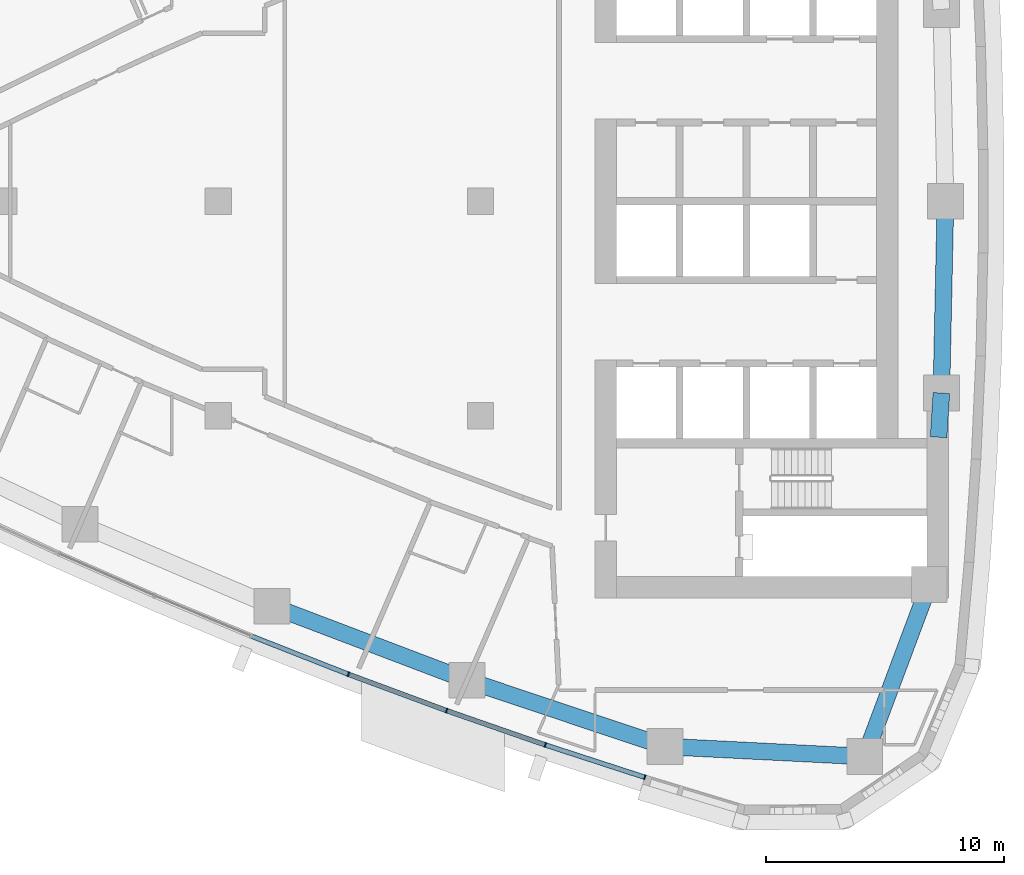
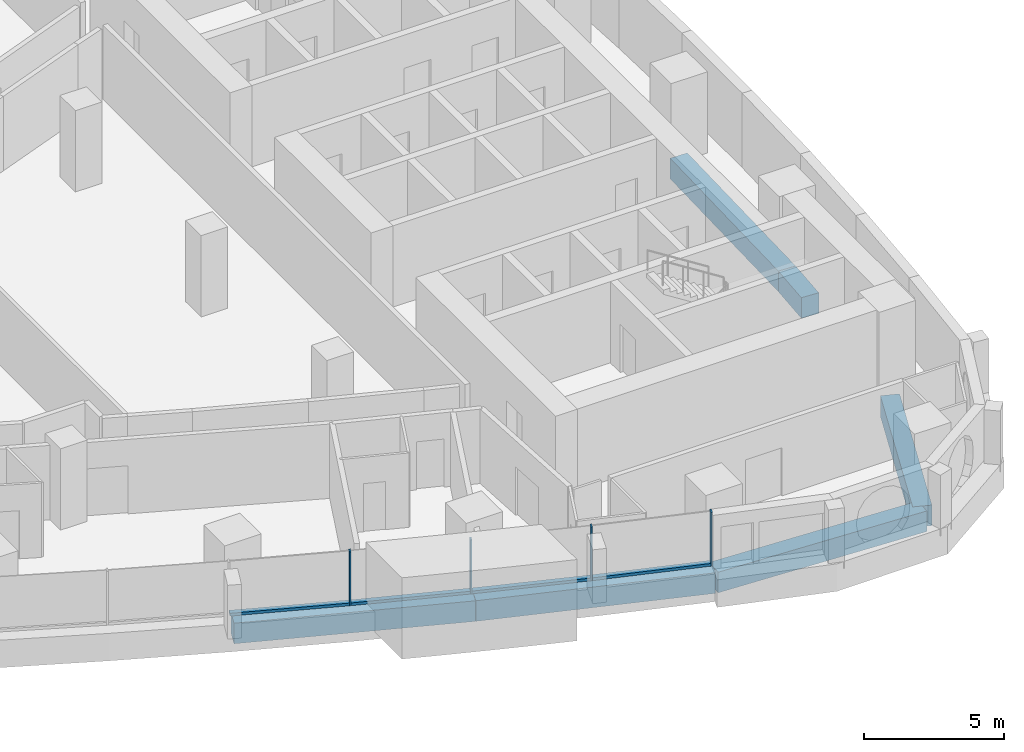
# One storey, part 3 of 17: 8 members, 6 beams, 2 elements without a shape of their own.
"""IFC4 building model written with IfcOpenShell, lengths in metres."""

from ifc_helpers import new_model, si_unit, direction, frame, origin, origin_2d, place, context, subcontext, project, spatial, rectangle, extrude, material, layer, layer_set, material_profile, profile_set, type_object, element, aggregate, save


model = new_model("IFC4")

# Units and contexts
model_context = context("Model", 3, precision=1e-05, world=origin(), true_north=direction((0.0, 1.0)))
body_context = subcontext(model_context, "Body", "Model", "MODEL_VIEW")
ifc_project = project(units=[si_unit("LENGTHUNIT", "METRE"), si_unit("AREAUNIT", "SQUARE_METRE"), si_unit("VOLUMEUNIT", "CUBIC_METRE"), si_unit("PLANEANGLEUNIT", "RADIAN"), si_unit("MASSUNIT", "GRAM", prefix="KILO")], contexts=[model_context])

# Site, building, storey
site_placement = place(None, origin())
site = spatial("IfcSite", under=ifc_project, at=site_placement, CompositionType="ELEMENT")
building_placement = place(site_placement, origin())
building = spatial("IfcBuilding", under=site, at=building_placement, Name="Ostrand Prow Hotel Tower", CompositionType="ELEMENT")
storey_placement = place(building_placement, frame((0.0, 0.0, 130.199951171875)))
storey = spatial("IfcBuildingStorey", under=building, at=storey_placement, Name="L31", CompositionType="ELEMENT", Elevation=130.199951171875)

# Beams
ifc_material_1 = material(Name="Concrete C70/85", Category="concrete")
ifc_material_profile_1 = material_profile(ifc_material_1, rectangle(XDim=0.699951171875, YDim=0.89990234375, at=origin_2d()), Name="RC 700x900")
ifc_profile_set_1 = profile_set([ifc_material_profile_1], Name="Concrete C70/85")
beam_type = type_object("IfcBeamType", Name="Edge beam 700x900 C70/85", PredefinedType="SPANDREL", material=ifc_profile_set_1)
for number, where, z_axis, x_axis, name in (
    (1, (36.255615234375, -16.98388671875, -0.75), (0.93479358236, -0.355191439055, 0.0), (0.355191439055, 0.93479358236, 0.0), "Edge beam S4-S5"),
    (2, (44.438232421875, -20.093017578125, -0.75), (0.948376051094, -0.317148018616, 0.0), (0.317148018616, 0.948376051094, 0.0), "Edge beam S5-S6"),
):
    element("IfcBeam", number, at=place(storey_placement, frame(where, z_axis=z_axis, x_axis=x_axis)), inside=storey, type_object=beam_type, Name=name, PredefinedType="SPANDREL", context=body_context, shape_type="SweptSolid", body=[
        extrude(rectangle(XDim=0.699951171875, YDim=0.89990234375, at=origin_2d()), origin(), (0.0, 0.0, 1.0), 8.75341796875),
    ])
beam_1_placement = place(storey_placement, frame((52.73974609375, -22.869140625, -0.75), z_axis=(0.99873741544, -0.050235196825, 0.0), x_axis=(0.050235196825, 0.99873741544, 0.0)))
element("IfcBeam", 3, at=beam_1_placement, inside=storey, type_object=beam_type, Name="Edge beam S6-SE", PredefinedType="SPANDREL", context=body_context, shape_type="SweptSolid", body=[
    extrude(rectangle(XDim=0.699951171875, YDim=0.89990234375, at=origin_2d()), origin(), (0.0, 0.0, 1.0), 8.38818359375),
])
beam_2_placement = place(storey_placement, frame((61.117431640625, -23.29052734375, -0.75), z_axis=(0.350602524344, 0.93652435629, 0.0), x_axis=(-0.93652435629, 0.350602524344, 0.0)))
element("IfcBeam", 4, at=beam_2_placement, inside=storey, type_object=beam_type, Name="Edge beam SE-B1", PredefinedType="SPANDREL", context=body_context, shape_type="SweptSolid", body=[
    extrude(rectangle(XDim=0.699951171875, YDim=0.89990234375, at=origin_2d()), origin(), (0.0, 0.0, 1.0), 7.037353515625),
])
beam_3_placement = place(storey_placement, frame((64.21142578125, -9.89990234375, -0.75), z_axis=(0.063563790544, 0.997977777574, 0.0), x_axis=(-0.997977777574, 0.063563790544, 0.0)))
element("IfcBeam", 5, at=beam_3_placement, inside=storey, type_object=beam_type, Name="Edge beam B1-B2", PredefinedType="SPANDREL", context=body_context, shape_type="SweptSolid", body=[
    extrude(rectangle(XDim=0.699951171875, YDim=0.89990234375, at=origin_2d()), origin(), (0.0, 0.0, 1.0), 1.85888671875),
])
beam_4_placement = place(storey_placement, frame((64.32958984375, -8.044677734375, -0.75), z_axis=(0.021178217658, 0.999775716397, 0.0), x_axis=(-0.999775716397, 0.021178217658, 0.0)))
element("IfcBeam", 6, at=beam_4_placement, inside=storey, type_object=beam_type, Name="Edge beam B2-B3", PredefinedType="SPANDREL", context=body_context, shape_type="SweptSolid", body=[
    extrude(rectangle(XDim=0.699951171875, YDim=0.89990234375, at=origin_2d()), origin(), (0.0, 0.0, 1.0), 8.04638671875),
])

# Curtain wall, members
ifc_material_2 = material(Name="Insulated glass in bronze anodised frame", Category="glass")
ifc_layer = layer(ifc_material_2, 0.199951171875)
ifc_layer_set = layer_set([ifc_layer], Name="Insulated glass in bronze anodised frame")
curtain_wall_type = type_object("IfcCurtainWallType", Name="Strip curtain wall, fritted glass over bronze spandrel", PredefinedType="NOTDEFINED", material=ifc_layer_set)
curtain_wall_1_placement = place(storey_placement, origin())
curtain_wall_1 = element("IfcCurtainWall", 7, at=curtain_wall_1_placement, inside=storey, type_object=curtain_wall_type, Name="CW1 run CWS4", PredefinedType="NOTDEFINED")
ifc_material_3 = material(Name="Bronze anodised aluminium", Category="aluminium")
ifc_material_profile_2 = material_profile(ifc_material_3, rectangle(XDim=0.199951171875, YDim=0.06005859375, at=origin_2d()), Name="Mullion 60x200 bronze anodised aluminium")
ifc_profile_set_2 = profile_set([ifc_material_profile_2], Name="Bronze anodised aluminium")
member_type_1 = type_object("IfcMemberType", Name="Mullion 60x200 bronze anodised aluminium", PredefinedType="MULLION", material=ifc_profile_set_2)
member_1_placement = place(storey_placement, frame((39.462158203125, -19.8408203125, 0.900146484375), z_axis=(0.0, 0.0, 1.0), x_axis=(0.347341576459, 0.937738678558, 0.0)))
member_1 = element("IfcMember", 8, at=member_1_placement, type_object=member_type_1, Name="CW1 mullion 2", PredefinedType="MULLION", context=body_context, shape_type="SweptSolid", body=[
    extrude(rectangle(XDim=0.199951171875, YDim=0.06005859375, at=origin_2d()), origin(), (0.0, 0.0, 1.0), 2.349853515625),
])
member_2_placement = place(storey_placement, frame((43.5751953125, -21.3642578125, 0.900146484375), z_axis=(0.0, 0.0, 1.0), x_axis=(0.347341576459, 0.937738678558, 0.0)))
member_2 = element("IfcMember", 9, at=member_2_placement, type_object=member_type_1, Name="CW1 mullion 3", PredefinedType="MULLION", context=body_context, shape_type="SweptSolid", body=[
    extrude(rectangle(XDim=0.199951171875, YDim=0.06005859375, at=origin_2d()), origin(), (0.0, 0.0, 1.0), 2.349853515625),
])

curtain_wall_2_placement = place(storey_placement, origin())
curtain_wall_2 = element("IfcCurtainWall", 10, at=curtain_wall_2_placement, inside=storey, type_object=curtain_wall_type, Name="CW1 run CWS5", PredefinedType="NOTDEFINED")
member_3_placement = place(storey_placement, frame((47.718017578125, -22.8046875, 0.900146484375), z_axis=(0.0, 0.0, 1.0), x_axis=(0.309380491373, 0.950938332153, 0.0)))
member_3 = element("IfcMember", 11, at=member_3_placement, type_object=member_type_1, Name="CW1 mullion 2", PredefinedType="MULLION", context=body_context, shape_type="SweptSolid", body=[
    extrude(rectangle(XDim=0.199951171875, YDim=0.06005859375, at=origin_2d()), origin(), (0.0, 0.0, 1.0), 2.349853515625),
])
member_4_placement = place(storey_placement, frame((51.888916015625, -24.16162109375, 0.900146484375), z_axis=(0.0, 0.0, 1.0), x_axis=(0.309380491373, 0.950938332153, 0.0)))
member_4 = element("IfcMember", 12, at=member_4_placement, type_object=member_type_1, Name="CW1 mullion 3", PredefinedType="MULLION", context=body_context, shape_type="SweptSolid", body=[
    extrude(rectangle(XDim=0.199951171875, YDim=0.06005859375, at=origin_2d()), origin(), (0.0, 0.0, 1.0), 2.349853515625),
])

# Member
ifc_material_4 = material(Name="Bronze anodised aluminium", Category="aluminium")
ifc_material_profile_3 = material_profile(ifc_material_4, rectangle(XDim=0.199951171875, YDim=0.1201171875, at=origin_2d()), Name="Transom 120x200 bronze anodised aluminium")
ifc_profile_set_3 = profile_set([ifc_material_profile_3], Name="Bronze anodised aluminium")
member_type_2 = type_object("IfcMemberType", Name="Transom 120x200 bronze anodised aluminium", PredefinedType="USERDEFINED", material=ifc_profile_set_3)
member_5_placement = place(storey_placement, frame((35.408447265625, -18.245849609375, 0.9599609375), z_axis=(0.930563430162, -0.366130717701, 0.0), x_axis=(0.366130717701, 0.930563430162, 0.0)))
member_5 = element("IfcMember", 13, at=member_5_placement, type_object=member_type_2, Name="CW1 transom 1.1", ObjectType="TRANSOM", PredefinedType="USERDEFINED", context=body_context, shape_type="SweptSolid", body=[
    extrude(rectangle(XDim=0.199951171875, YDim=0.1201171875, at=origin_2d()), origin(), (0.0, 0.0, 1.0), 4.326171875),
])

member_6_placement = place(storey_placement, frame((39.490234375, -19.851318359375, 0.9599609375), z_axis=(0.937756929379, -0.347292299657, 0.0), x_axis=(0.347292299657, 0.937756929379, 0.0)))
member_6 = element("IfcMember", 14, at=member_6_placement, type_object=member_type_2, Name="CW1 transom 2.1", ObjectType="TRANSOM", PredefinedType="USERDEFINED", context=body_context, shape_type="SweptSolid", body=[
    extrude(rectangle(XDim=0.199951171875, YDim=0.1201171875, at=origin_2d()), origin(), (0.0, 0.0, 1.0), 4.326171875),
])

aggregate(curtain_wall_1, [member_1, member_2, member_5, member_6])

member_7_placement = place(storey_placement, frame((43.603515625, -21.3740234375, 0.9599609375), z_axis=(0.944524201162, -0.328441826538, 0.0), x_axis=(0.328441826538, 0.944524201162, 0.0)))
member_7 = element("IfcMember", 15, at=member_7_placement, type_object=member_type_2, Name="CW1 transom 1.1", ObjectType="TRANSOM", PredefinedType="USERDEFINED", context=body_context, shape_type="SweptSolid", body=[
    extrude(rectangle(XDim=0.199951171875, YDim=0.1201171875, at=origin_2d()), origin(), (0.0, 0.0, 1.0), 4.326171875),
])

member_8_placement = place(storey_placement, frame((47.74658203125, -22.81396484375, 0.9599609375), z_axis=(0.950938634958, -0.309379560643, 0.0), x_axis=(0.309379560643, 0.950938634958, 0.0)))
member_8 = element("IfcMember", 16, at=member_8_placement, type_object=member_type_2, Name="CW1 transom 2.1", ObjectType="TRANSOM", PredefinedType="USERDEFINED", context=body_context, shape_type="SweptSolid", body=[
    extrude(rectangle(XDim=0.199951171875, YDim=0.1201171875, at=origin_2d()), origin(), (0.0, 0.0, 1.0), 4.325927734375),
])

aggregate(curtain_wall_2, [member_3, member_4, member_7, member_8])

save(model, "model.ifc")
